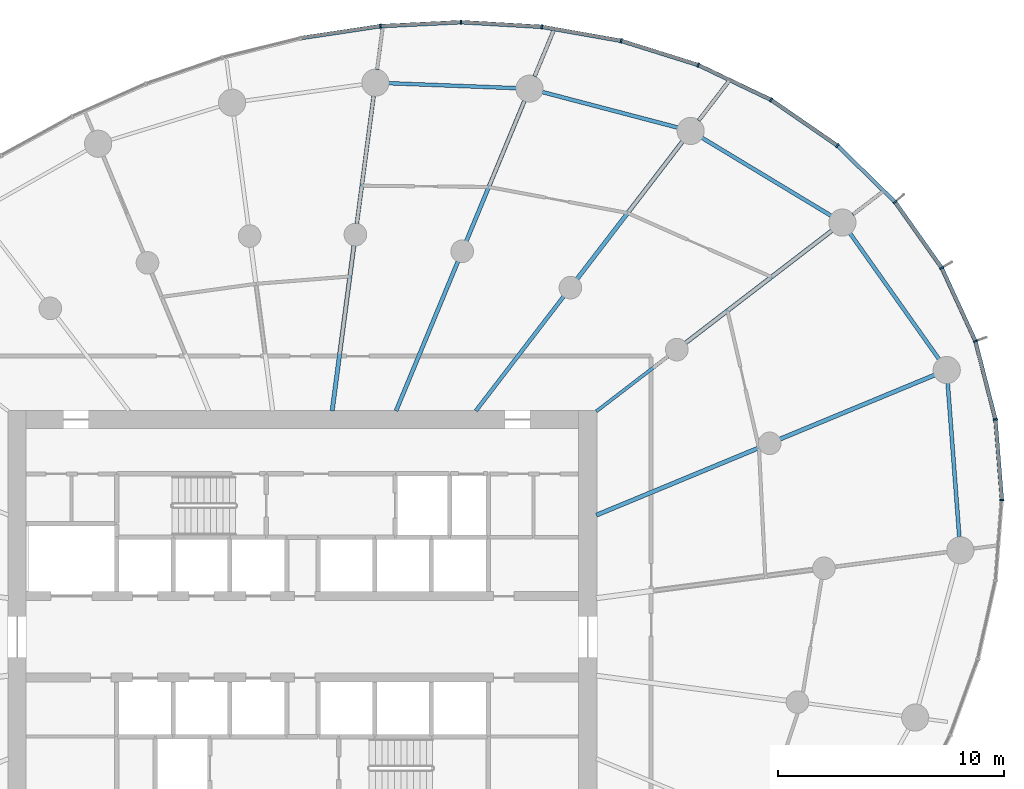
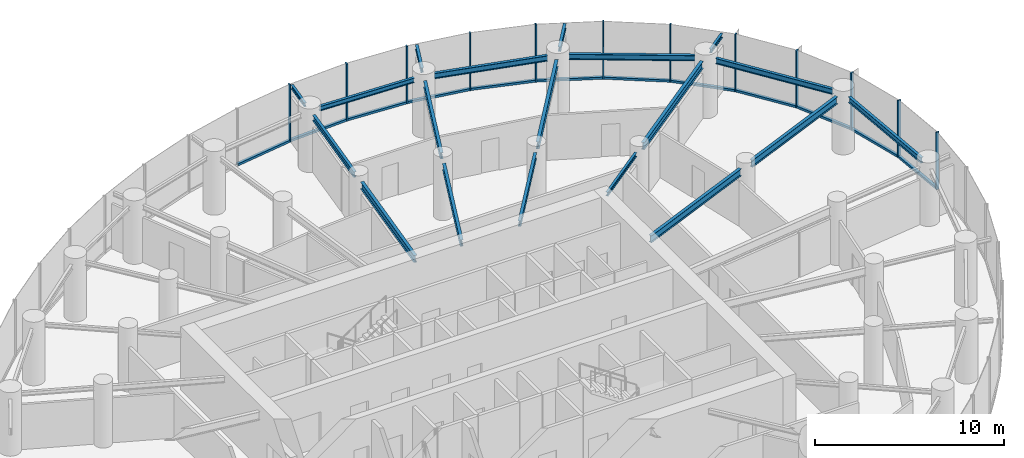
# One storey, part 7 of 17: 24 members, 19 beams, 3 elements without a shape of their own.
"""IFC4 building model written with IfcOpenShell, lengths in metres."""

from ifc_helpers import new_model, si_unit, direction, frame, origin, origin_2d, place, context, subcontext, project, spatial, rectangle, i_section, extrude, source, transform, mapped, material, layer, layer_set, material_profile, profile_set, type_object, element, aggregate, save


model = new_model("IFC4")

# Units and contexts
model_context = context("Model", 3, precision=1e-05, world=origin(), true_north=direction((0.0, 1.0)))
body_context = subcontext(model_context, "Body", "Model", "MODEL_VIEW")
ifc_project = project(units=[si_unit("LENGTHUNIT", "METRE"), si_unit("AREAUNIT", "SQUARE_METRE"), si_unit("VOLUMEUNIT", "CUBIC_METRE"), si_unit("PLANEANGLEUNIT", "RADIAN"), si_unit("MASSUNIT", "GRAM", prefix="KILO")], contexts=[model_context])

# Site, building, storey
site_placement = place(None, origin())
site = spatial("IfcSite", under=ifc_project, at=site_placement, CompositionType="ELEMENT")
building_placement = place(site_placement, origin())
building = spatial("IfcBuilding", under=site, at=building_placement, Name="Spindrift Exchange Tower", CompositionType="ELEMENT")
storey_placement = place(building_placement, frame((0.0, 0.0, 120.800048828125)))
storey = spatial("IfcBuildingStorey", under=building, at=storey_placement, Name="L28", CompositionType="ELEMENT", Elevation=120.800048828125)

# Beams
ifc_material_1 = material(Name="Steel Grade 300", Category="steel")
ifc_material_profile_1 = material_profile(ifc_material_1, i_section(OverallWidth=0.18994140625, OverallDepth=0.45703125, WebThickness=0.009033203125, FlangeThickness=0.014404296875, FilletRadius=0.013916015625, at=origin_2d()), Name="460UB74.6")
ifc_profile_set_1 = profile_set([ifc_material_profile_1], Name="Steel Grade 300")
beam_type_1 = type_object("IfcBeamType", Name="Floor Beam 460UB74.6 Steel Grade 300", PredefinedType="BEAM", material=ifc_profile_set_1)
shared_shape_1 = source(origin(), body_context, "Body", "SweptSolid", [
    extrude(i_section(OverallWidth=0.18994140625, OverallDepth=0.45703125, WebThickness=0.009033203125, FlangeThickness=0.014404296875, FilletRadius=0.013916015625, at=origin_2d()), origin(), (0.0, 0.0, 1.0), 7.808837890625),
])
beam_1_placement = place(storey_placement, frame((64.9814453125, 53.377197265625, 3.471435546875), z_axis=(0.92387965154, 0.382683145003, 0.0), x_axis=(-0.382683145003, 0.92387965154, 0.0)))
element("IfcBeam", 1, at=beam_1_placement, inside=storey, type_object=beam_type_1, Name="L28 radial beam R02A", PredefinedType="BEAM", context=body_context, shape_type="MappedRepresentation", body=[
    mapped(shared_shape_1, transform((0.0, 0.0, 0.0), scale=1.0)),
])
ifc_material_profile_2 = material_profile(ifc_material_1, i_section(OverallWidth=0.14599609375, OverallDepth=0.251953125, WebThickness=0.006103515625, FlangeThickness=0.008544921875, FilletRadius=0.011962890625, at=origin_2d()), Name="250UB31.4")
ifc_profile_set_2 = profile_set([ifc_material_profile_2], Name="Steel Grade 300")
beam_type_2 = type_object("IfcBeamType", Name="Floor Beam 250UB31.4 Steel Grade 300", PredefinedType="BEAM", material=ifc_profile_set_2)
shared_shape_2 = source(origin(), body_context, "Body", "SweptSolid", [
    extrude(i_section(OverallWidth=0.14599609375, OverallDepth=0.251953125, WebThickness=0.006103515625, FlangeThickness=0.008544921875, FilletRadius=0.011962890625, at=origin_2d()), origin(), (0.0, 0.0, 1.0), 3.99560546875),
])
beam_2_placement = place(storey_placement, frame((64.984130859375, 57.963134765625, 3.573974609375), z_axis=(0.793352561574, 0.608762443851, 0.0), x_axis=(-0.608762443851, 0.793352561574, 0.0)))
element("IfcBeam", 2, at=beam_2_placement, inside=storey, type_object=beam_type_2, Name="L28 radial beam R03A", PredefinedType="BEAM", context=body_context, shape_type="MappedRepresentation", body=[
    mapped(shared_shape_2, transform((0.0, 0.0, 0.0), scale=1.0)),
])
ifc_material_profile_3 = material_profile(ifc_material_1, i_section(OverallWidth=0.172119140625, OverallDepth=0.35888671875, WebThickness=0.008056640625, FlangeThickness=0.012939453125, FilletRadius=0.013916015625, at=origin_2d()), Name="360UB56.7")
ifc_profile_set_3 = profile_set([ifc_material_profile_3], Name="Steel Grade 300")
beam_type_3 = type_object("IfcBeamType", Name="Floor Beam 360UB56.7 Steel Grade 300", PredefinedType="BEAM", material=ifc_profile_set_3)
shared_shape_3 = source(origin(), body_context, "Body", "SweptSolid", [
    extrude(i_section(OverallWidth=0.172119140625, OverallDepth=0.35888671875, WebThickness=0.008056640625, FlangeThickness=0.012939453125, FilletRadius=0.013916015625, at=origin_2d()), origin(), (0.0, 0.0, 1.0), 6.37646484375),
])
beam_3_placement = place(storey_placement, frame((59.6611328125, 57.984130859375, 3.5205078125), z_axis=(0.608766669952, 0.793349318747, 0.0), x_axis=(-0.793349318747, 0.608766669952, 0.0)))
element("IfcBeam", 3, at=beam_3_placement, inside=storey, type_object=beam_type_3, Name="L28 radial beam R04A", PredefinedType="BEAM", context=body_context, shape_type="MappedRepresentation", body=[
    mapped(shared_shape_3, transform((0.0, 0.0, 0.0), scale=1.0)),
])
ifc_material_profile_4 = material_profile(ifc_material_1, i_section(OverallWidth=0.177978515625, OverallDepth=0.406005859375, WebThickness=0.0078125, FlangeThickness=0.0126953125, FilletRadius=0.013916015625, at=origin_2d()), Name="410UB59.7")
ifc_profile_set_4 = profile_set([ifc_material_profile_4], Name="Steel Grade 300")
beam_type_4 = type_object("IfcBeamType", Name="Floor Beam 410UB59.7 Steel Grade 300", PredefinedType="BEAM", material=ifc_profile_set_4)
shared_shape_4 = source(origin(), body_context, "Body", "SweptSolid", [
    extrude(i_section(OverallWidth=0.177978515625, OverallDepth=0.406005859375, WebThickness=0.0078125, FlangeThickness=0.0126953125, FilletRadius=0.013916015625, at=origin_2d()), origin(), (0.0, 0.0, 1.0), 7.150634765625),
])
beam_4_placement = place(storey_placement, frame((56.134521484375, 57.9814453125, 3.4970703125), z_axis=(0.382665393358, 0.923887004306, 0.0), x_axis=(-0.923887004306, 0.382665393358, 0.0)))
element("IfcBeam", 4, at=beam_4_placement, inside=storey, type_object=beam_type_4, Name="L28 radial beam R05A", PredefinedType="BEAM", context=body_context, shape_type="MappedRepresentation", body=[
    mapped(shared_shape_4, transform((0.0, 0.0, 0.0), scale=1.0)),
])
shared_shape_5 = source(origin(), body_context, "Body", "SweptSolid", [
    extrude(i_section(OverallWidth=0.18994140625, OverallDepth=0.45703125, WebThickness=0.009033203125, FlangeThickness=0.014404296875, FilletRadius=0.013916015625, at=origin_2d()), origin(), (0.0, 0.0, 1.0), 7.374267578125),
])
beam_5_placement = place(storey_placement, frame((53.31396484375, 57.980224609375, 3.471435546875), z_axis=(0.130539295622, 0.99144313619, 0.0), x_axis=(-0.99144313619, 0.130539295622, 0.0)))
element("IfcBeam", 5, at=beam_5_placement, inside=storey, type_object=beam_type_1, Name="L28 radial beam R06A", PredefinedType="BEAM", context=body_context, shape_type="MappedRepresentation", body=[
    mapped(shared_shape_5, transform((0.0, 0.0, 0.0), scale=1.0)),
])
shared_shape_6 = source(origin(), body_context, "Body", "SweptSolid", [
    extrude(i_section(OverallWidth=0.18994140625, OverallDepth=0.45703125, WebThickness=0.009033203125, FlangeThickness=0.014404296875, FilletRadius=0.013916015625, at=origin_2d()), origin(), (0.0, 0.0, 1.0), 7.400146484375),
])
beam_6_placement = place(storey_placement, frame((73.082763671875, 56.73291015625, 3.471435546875), z_axis=(0.923886957755, 0.382665505749, 0.0), x_axis=(-0.382665505749, 0.923886957755, 0.0)))
element("IfcBeam", 6, at=beam_6_placement, inside=storey, type_object=beam_type_1, Name="L28 radial beam R02B", PredefinedType="BEAM", context=body_context, shape_type="MappedRepresentation", body=[
    mapped(shared_shape_6, transform((0.0, 0.0, 0.0), scale=1.0)),
])
shared_shape_7 = source(origin(), body_context, "Body", "SweptSolid", [
    extrude(i_section(OverallWidth=0.18994140625, OverallDepth=0.45703125, WebThickness=0.009033203125, FlangeThickness=0.014404296875, FilletRadius=0.013916015625, at=origin_2d()), origin(), (0.0, 0.0, 1.0), 8.158447265625),
])
beam_7_placement = place(storey_placement, frame((68.91552734375, 60.979736328125, 3.471435546875), z_axis=(0.793358732539, 0.608754401631, 0.0), x_axis=(-0.608754401631, 0.793358732539, 0.0)))
element("IfcBeam", 7, at=beam_7_placement, inside=storey, type_object=beam_type_1, Name="L28 radial beam R03B", PredefinedType="BEAM", context=body_context, shape_type="MappedRepresentation", body=[
    mapped(shared_shape_7, transform((0.0, 0.0, 0.0), scale=1.0)),
])
shared_shape_8 = source(origin(), body_context, "Body", "SweptSolid", [
    extrude(i_section(OverallWidth=0.18994140625, OverallDepth=0.45703125, WebThickness=0.009033203125, FlangeThickness=0.014404296875, FilletRadius=0.013916015625, at=origin_2d()), origin(), (0.0, 0.0, 1.0), 7.663818359375),
])
beam_8_placement = place(storey_placement, frame((64.127197265625, 63.8046875, 3.471435546875), z_axis=(0.608771227503, 0.793345821546, 0.0), x_axis=(-0.793345821546, 0.608771227503, 0.0)))
element("IfcBeam", 8, at=beam_8_placement, inside=storey, type_object=beam_type_1, Name="L28 radial beam R04B", PredefinedType="BEAM", context=body_context, shape_type="MappedRepresentation", body=[
    mapped(shared_shape_8, transform((0.0, 0.0, 0.0), scale=1.0)),
])
shared_shape_9 = source(origin(), body_context, "Body", "SweptSolid", [
    extrude(i_section(OverallWidth=0.177978515625, OverallDepth=0.406005859375, WebThickness=0.0078125, FlangeThickness=0.0126953125, FilletRadius=0.013916015625, at=origin_2d()), origin(), (0.0, 0.0, 1.0), 6.71240234375),
])
beam_9_placement = place(storey_placement, frame((59.23828125, 65.474853515625, 3.4970703125), z_axis=(0.382669812754, 0.923885173821, 0.0), x_axis=(-0.923885173821, 0.382669812754, 0.0)))
element("IfcBeam", 9, at=beam_9_placement, inside=storey, type_object=beam_type_4, Name="L28 radial beam R05B", PredefinedType="BEAM", context=body_context, shape_type="MappedRepresentation", body=[
    mapped(shared_shape_9, transform((0.0, 0.0, 0.0), scale=1.0)),
])
shared_shape_10 = source(origin(), body_context, "Body", "SweptSolid", [
    extrude(i_section(OverallWidth=0.172119140625, OverallDepth=0.35888671875, WebThickness=0.008056640625, FlangeThickness=0.012939453125, FilletRadius=0.013916015625, at=origin_2d()), origin(), (0.0, 0.0, 1.0), 5.70751953125),
])
beam_10_placement = place(storey_placement, frame((54.40185546875, 66.2431640625, 3.5205078125), z_axis=(0.130507624881, 0.991447305634, 0.0), x_axis=(-0.991447305634, 0.130507624881, 0.0)))
element("IfcBeam", 10, at=beam_10_placement, inside=storey, type_object=beam_type_3, Name="L28 radial beam R06B", PredefinedType="BEAM", context=body_context, shape_type="MappedRepresentation", body=[
    mapped(shared_shape_10, transform((0.0, 0.0, 0.0), scale=1.0)),
])
ifc_material_profile_5 = material_profile(ifc_material_1, i_section(OverallWidth=0.172119140625, OverallDepth=0.35888671875, WebThickness=0.008056640625, FlangeThickness=0.012939453125, FilletRadius=0.013916015625, at=origin_2d()), Name="360UB56.7")
ifc_profile_set_5 = profile_set([ifc_material_profile_5], Name="Steel Grade 300")
beam_type_5 = type_object("IfcBeamType", Name="Edge Beam 360UB56.7 Steel Grade 300", PredefinedType="SPANDREL", material=ifc_profile_set_5)
shared_shape_11 = source(origin(), body_context, "Body", "SweptSolid", [
    extrude(i_section(OverallWidth=0.172119140625, OverallDepth=0.35888671875, WebThickness=0.008056640625, FlangeThickness=0.012939453125, FilletRadius=0.013916015625, at=origin_2d()), origin(), (0.0, 0.0, 1.0), 6.82373046875),
])
beam_11_placement = place(storey_placement, frame((81.0126953125, 52.40380859375, 3.5205078125), z_axis=(-0.075276463877, 0.997162701863, 0.0), x_axis=(-0.997162701863, -0.075276463877, 0.0)))
element("IfcBeam", 11, at=beam_11_placement, inside=storey, type_object=beam_type_5, Name="L28 edge beam E01", PredefinedType="SPANDREL", context=body_context, shape_type="MappedRepresentation", body=[
    mapped(shared_shape_11, transform((0.0, 0.0, 0.0), scale=1.0)),
])
shared_shape_12 = source(origin(), body_context, "Body", "SweptSolid", [
    extrude(i_section(OverallWidth=0.172119140625, OverallDepth=0.35888671875, WebThickness=0.008056640625, FlangeThickness=0.012939453125, FilletRadius=0.013916015625, at=origin_2d()), origin(), (0.0, 0.0, 1.0), 6.81787109375),
])
beam_12_placement = place(storey_placement, frame((80.12060546875, 60.260009765625, 3.5205078125), z_axis=(-0.577526426198, 0.816371990604, 0.0), x_axis=(-0.816371990604, -0.577526426198, 0.0)))
element("IfcBeam", 12, at=beam_12_placement, inside=storey, type_object=beam_type_5, Name="L28 edge beam E02", PredefinedType="SPANDREL", context=body_context, shape_type="MappedRepresentation", body=[
    mapped(shared_shape_12, transform((0.0, 0.0, 0.0), scale=1.0)),
])
shared_shape_13 = source(origin(), body_context, "Body", "SweptSolid", [
    extrude(i_section(OverallWidth=0.172119140625, OverallDepth=0.35888671875, WebThickness=0.008056640625, FlangeThickness=0.012939453125, FilletRadius=0.013916015625, at=origin_2d()), origin(), (0.0, 0.0, 1.0), 6.668701171875),
])
beam_13_placement = place(storey_placement, frame((75.3515625, 66.59912109375, 3.5205078125), z_axis=(-0.856133207479, 0.516755194508, 0.0), x_axis=(-0.516755194508, -0.856133207479, 0.0)))
element("IfcBeam", 13, at=beam_13_placement, inside=storey, type_object=beam_type_5, Name="L28 edge beam E03", PredefinedType="SPANDREL", context=body_context, shape_type="MappedRepresentation", body=[
    mapped(shared_shape_13, transform((0.0, 0.0, 0.0), scale=1.0)),
])
shared_shape_14 = source(origin(), body_context, "Body", "SweptSolid", [
    extrude(i_section(OverallWidth=0.172119140625, OverallDepth=0.35888671875, WebThickness=0.008056640625, FlangeThickness=0.012939453125, FilletRadius=0.013916015625, at=origin_2d()), origin(), (0.0, 0.0, 1.0), 6.197509765625),
])
beam_14_placement = place(storey_placement, frame((68.584716796875, 70.491943359375, 3.5205078125), z_axis=(-0.967254420813, 0.253808757567, 0.0), x_axis=(-0.253808757567, -0.967254420813, 0.0)))
element("IfcBeam", 14, at=beam_14_placement, inside=storey, type_object=beam_type_5, Name="L28 edge beam E04", PredefinedType="SPANDREL", context=body_context, shape_type="MappedRepresentation", body=[
    mapped(shared_shape_14, transform((0.0, 0.0, 0.0), scale=1.0)),
])
ifc_material_profile_6 = material_profile(ifc_material_1, i_section(OverallWidth=0.1650390625, OverallDepth=0.303955078125, WebThickness=0.006103515625, FlangeThickness=0.01025390625, FilletRadius=0.011474609375, at=origin_2d()), Name="310UB40.4")
ifc_profile_set_6 = profile_set([ifc_material_profile_6], Name="Steel Grade 300")
beam_type_6 = type_object("IfcBeamType", Name="Edge Beam 310UB40.4 Steel Grade 300", PredefinedType="SPANDREL", material=ifc_profile_set_6)
shared_shape_15 = source(origin(), body_context, "Body", "SweptSolid", [
    extrude(i_section(OverallWidth=0.1650390625, OverallDepth=0.303955078125, WebThickness=0.006103515625, FlangeThickness=0.01025390625, FilletRadius=0.011474609375, at=origin_2d()), origin(), (0.0, 0.0, 1.0), 5.65185546875),
])
beam_15_placement = place(storey_placement, frame((61.449462890625, 72.234619140625, 3.5478515625), z_axis=(-0.99924397539, 0.038877726865, 0.0), x_axis=(-0.038877726865, -0.99924397539, 0.0)))
element("IfcBeam", 15, at=beam_15_placement, inside=storey, type_object=beam_type_6, Name="L28 edge beam E05", PredefinedType="SPANDREL", context=body_context, shape_type="MappedRepresentation", body=[
    mapped(shared_shape_15, transform((0.0, 0.0, 0.0), scale=1.0)),
])
ifc_material_profile_7 = material_profile(ifc_material_1, i_section(OverallWidth=0.14599609375, OverallDepth=0.251953125, WebThickness=0.006103515625, FlangeThickness=0.008544921875, FilletRadius=0.011962890625, at=origin_2d()), Name="250UB31.4")
ifc_profile_set_7 = profile_set([ifc_material_profile_7], Name="Steel Grade 300")
beam_type_7 = type_object("IfcBeamType", Name="Cantilever Beam 250UB31.4 Steel Grade 300", PredefinedType="BEAM", material=ifc_profile_set_7)
shared_shape_16 = source(origin(), body_context, "Body", "SweptSolid", [
    extrude(i_section(OverallWidth=0.14599609375, OverallDepth=0.251953125, WebThickness=0.006103515625, FlangeThickness=0.008544921875, FilletRadius=0.011962890625, at=origin_2d()), origin(), (0.0, 0.0, 1.0), 1.579345703125),
])
beam_16_placement = place(storey_placement, frame((76.308349609375, 66.652587890625, 3.573974609375), z_axis=(0.793347524378, 0.608769008379, 0.0), x_axis=(-0.608769008379, 0.793347524378, 0.0)))
element("IfcBeam", 16, at=beam_16_placement, inside=storey, type_object=beam_type_7, Name="L28 cantilever beam R03T", PredefinedType="BEAM", context=body_context, shape_type="MappedRepresentation", body=[
    mapped(shared_shape_16, transform((0.0, 0.0, 0.0), scale=1.0)),
])
ifc_material_profile_8 = material_profile(ifc_material_1, i_section(OverallWidth=0.1650390625, OverallDepth=0.303955078125, WebThickness=0.006103515625, FlangeThickness=0.01025390625, FilletRadius=0.011474609375, at=origin_2d()), Name="310UB40.4")
ifc_profile_set_8 = profile_set([ifc_material_profile_8], Name="Steel Grade 300")
beam_type_8 = type_object("IfcBeamType", Name="Cantilever Beam 310UB40.4 Steel Grade 300", PredefinedType="BEAM", material=ifc_profile_set_8)
shared_shape_17 = source(origin(), body_context, "Body", "SweptSolid", [
    extrude(i_section(OverallWidth=0.1650390625, OverallDepth=0.303955078125, WebThickness=0.006103515625, FlangeThickness=0.01025390625, FilletRadius=0.011474609375, at=origin_2d()), origin(), (0.0, 0.0, 1.0), 2.200439453125),
])
beam_17_placement = place(storey_placement, frame((69.498779296875, 70.804931640625, 3.5478515625), z_axis=(0.608804169934, 0.793320542196, 0.0), x_axis=(-0.793320542196, 0.608804169934, 0.0)))
element("IfcBeam", 17, at=beam_17_placement, inside=storey, type_object=beam_type_8, Name="L28 cantilever beam R04T", PredefinedType="BEAM", context=body_context, shape_type="MappedRepresentation", body=[
    mapped(shared_shape_17, transform((0.0, 0.0, 0.0), scale=1.0)),
])
shared_shape_18 = source(origin(), body_context, "Body", "SweptSolid", [
    extrude(i_section(OverallWidth=0.1650390625, OverallDepth=0.303955078125, WebThickness=0.006103515625, FlangeThickness=0.01025390625, FilletRadius=0.011474609375, at=origin_2d()), origin(), (0.0, 0.0, 1.0), 2.197021484375),
])
beam_18_placement = place(storey_placement, frame((62.2509765625, 72.748046875, 3.5478515625), z_axis=(0.382705099748, 0.92387055729, 0.0), x_axis=(-0.92387055729, 0.382705099748, 0.0)))
element("IfcBeam", 18, at=beam_18_placement, inside=storey, type_object=beam_type_8, Name="L28 cantilever beam R05T", PredefinedType="BEAM", context=body_context, shape_type="MappedRepresentation", body=[
    mapped(shared_shape_18, transform((0.0, 0.0, 0.0), scale=1.0)),
])
shared_shape_19 = source(origin(), body_context, "Body", "SweptSolid", [
    extrude(i_section(OverallWidth=0.14599609375, OverallDepth=0.251953125, WebThickness=0.006103515625, FlangeThickness=0.008544921875, FilletRadius=0.011962890625, at=origin_2d()), origin(), (0.0, 0.0, 1.0), 1.8232421875),
])
beam_19_placement = place(storey_placement, frame((55.298095703125, 73.0517578125, 3.573974609375), z_axis=(0.130558428078, 0.99144061691, 0.0), x_axis=(-0.99144061691, 0.130558428078, 0.0)))
element("IfcBeam", 19, at=beam_19_placement, inside=storey, type_object=beam_type_7, Name="L28 cantilever beam R06T", PredefinedType="BEAM", context=body_context, shape_type="MappedRepresentation", body=[
    mapped(shared_shape_19, transform((0.0, 0.0, 0.0), scale=1.0)),
])

# Curtain wall, members
ifc_material_2 = material(Name="Fritted laminated glass with bronze frame", Category="glass")
ifc_layer = layer(ifc_material_2, 0.18994140625)
ifc_layer_set = layer_set([ifc_layer], Name="ZONE 2 BRONZE FRITTED WALL")
curtain_wall_type = type_object("IfcCurtainWallType", Name="ZONE 2 BRONZE FRITTED WALL", PredefinedType="NOTDEFINED", material=ifc_layer_set)
curtain_wall_1_placement = place(storey_placement, origin())
curtain_wall_1 = element("IfcCurtainWall", 20, at=curtain_wall_1_placement, inside=storey, type_object=curtain_wall_type, Name="L28 Zone 2 Bronze Fritted Wall run 1", PredefinedType="NOTDEFINED")
ifc_material_3 = material(Name="Bronze anodised aluminium", Category="aluminium")
ifc_material_profile_9 = material_profile(ifc_material_3, rectangle(XDim=0.074951171875, YDim=0.18994140625, at=origin_2d()), Name="ZONE 2 BRONZE FRITTED WALL MULLION 75X190")
ifc_profile_set_9 = profile_set([ifc_material_profile_9], Name="Bronze anodised aluminium")
member_type_1 = type_object("IfcMemberType", Name="ZONE 2 BRONZE FRITTED WALL MULLION 75X190", PredefinedType="MULLION", material=ifc_profile_set_9)
shared_shape_20 = source(origin(), body_context, "Body", "SweptSolid", [
    extrude(rectangle(XDim=0.074951171875, YDim=0.18994140625, at=origin_2d()), origin(), (0.0, 0.0, 1.0), 3.699951171875),
])
member_1_placement = place(storey_placement, frame((80.233154296875, 64.293701171875, 0.0), z_axis=(0.0, 0.0, 1.0), x_axis=(-0.499849063714, 0.866112529354, 0.0)))
member_1 = element("IfcMember", 21, at=member_1_placement, type_object=member_type_1, Name="L28 mullion CW-2.1", PredefinedType="MULLION", context=body_context, shape_type="MappedRepresentation", body=[
    mapped(shared_shape_20, transform((0.0, 0.0, 0.0), scale=1.0)),
])
member_2_placement = place(storey_placement, frame((78.17578125, 67.202392578125, 0.0), z_axis=(0.0, 0.0, 1.0), x_axis=(-0.648731923415, 0.761017011335, 0.0)))
member_2 = element("IfcMember", 22, at=member_2_placement, type_object=member_type_1, Name="L28 mullion CW-2.2", PredefinedType="MULLION", context=body_context, shape_type="MappedRepresentation", body=[
    mapped(shared_shape_20, transform((0.0, 0.0, 0.0), scale=1.0)),
])
member_3_placement = place(storey_placement, frame((75.629150390625, 69.694580078125, 0.0), z_axis=(0.0, 0.0, 1.0), x_axis=(-0.771777703349, 0.635892425346, 0.0)))
member_3 = element("IfcMember", 23, at=member_3_placement, type_object=member_type_1, Name="L28 mullion CW-2.3", PredefinedType="MULLION", context=body_context, shape_type="MappedRepresentation", body=[
    mapped(shared_shape_20, transform((0.0, 0.0, 0.0), scale=1.0)),
])
member_4_placement = place(storey_placement, frame((72.695556640625, 71.718017578125, 0.0), z_axis=(0.0, 0.0, 1.0), x_axis=(-0.865240806673, 0.501356506358, 0.0)))
member_4 = element("IfcMember", 24, at=member_4_placement, type_object=member_type_1, Name="L28 mullion CW-2.4", PredefinedType="MULLION", context=body_context, shape_type="MappedRepresentation", body=[
    mapped(shared_shape_20, transform((0.0, 0.0, 0.0), scale=1.0)),
])
member_5_placement = place(storey_placement, frame((69.480712890625, 73.257080078125, 0.0), z_axis=(0.0, 0.0, 1.0), x_axis=(-0.930425555032, 0.36648094977, 0.0)))
member_5 = element("IfcMember", 25, at=member_5_placement, type_object=member_type_1, Name="L28 mullion CW-2.5", PredefinedType="MULLION", context=body_context, shape_type="MappedRepresentation", body=[
    mapped(shared_shape_20, transform((0.0, 0.0, 0.0), scale=1.0)),
])
member_6_placement = place(storey_placement, frame((66.0791015625, 74.323974609375, 0.0), z_axis=(0.0, 0.0, 1.0), x_axis=(-0.97148115534, 0.237116774649, 0.0)))
member_6 = element("IfcMember", 26, at=member_6_placement, type_object=member_type_1, Name="L28 mullion CW-2.6", PredefinedType="MULLION", context=body_context, shape_type="MappedRepresentation", body=[
    mapped(shared_shape_20, transform((0.0, 0.0, 0.0), scale=1.0)),
])

curtain_wall_2_placement = place(storey_placement, origin())
curtain_wall_2 = element("IfcCurtainWall", 27, at=curtain_wall_2_placement, inside=storey, type_object=curtain_wall_type, Name="L28 Zone 2 Bronze Fritted Wall run 2", PredefinedType="NOTDEFINED")
member_7_placement = place(storey_placement, frame((62.56787109375, 74.9443359375, 0.0), z_axis=(0.0, 0.0, 1.0), x_axis=(-0.993239421142, 0.116083815791, 0.0)))
member_7 = element("IfcMember", 28, at=member_7_placement, type_object=member_type_1, Name="L28 mullion CW-2.7", PredefinedType="MULLION", context=body_context, shape_type="MappedRepresentation", body=[
    mapped(shared_shape_20, transform((0.0, 0.0, 0.0), scale=1.0)),
])
member_8_placement = place(storey_placement, frame((59.0078125, 75.150390625, 0.0), z_axis=(0.0, 0.0, 1.0), x_axis=(-0.999991297989, 0.004171803695, 0.0)))
member_8 = element("IfcMember", 29, at=member_8_placement, type_object=member_type_1, Name="L28 mullion CW-2.8", PredefinedType="MULLION", context=body_context, shape_type="MappedRepresentation", body=[
    mapped(shared_shape_20, transform((0.0, 0.0, 0.0), scale=1.0)),
])
member_9_placement = place(storey_placement, frame((55.446044921875, 74.97412109375, 0.0), z_axis=(0.0, 0.0, 1.0), x_axis=(-0.995084070987, -0.099033790538, 0.0)))
member_9 = element("IfcMember", 30, at=member_9_placement, type_object=member_type_1, Name="L28 mullion CW-2.9", PredefinedType="MULLION", context=body_context, shape_type="MappedRepresentation", body=[
    mapped(shared_shape_20, transform((0.0, 0.0, 0.0), scale=1.0)),
])

curtain_wall_3_placement = place(storey_placement, origin())
curtain_wall_3 = element("IfcCurtainWall", 31, at=curtain_wall_3_placement, inside=storey, type_object=curtain_wall_type, Name="L28 Zone 2 Bronze Fritted Wall run 9", PredefinedType="NOTDEFINED")
member_10_placement = place(storey_placement, frame((82.89013671875, 54.052978515625, 0.0), z_axis=(0.0, 0.0, 1.0), x_axis=(-0.00121708575, 0.999999259351, 0.0)))
member_10 = element("IfcMember", 32, at=member_10_placement, type_object=member_type_1, Name="L28 mullion CW-2.49", PredefinedType="MULLION", context=body_context, shape_type="MappedRepresentation", body=[
    mapped(shared_shape_20, transform((0.0, 0.0, 0.0), scale=1.0)),
])
member_11_placement = place(storey_placement, frame((82.60595703125, 57.60546875, 0.0), z_axis=(0.0, 0.0, 1.0), x_axis=(-0.164452285837, 0.986385039264, 0.0)))
member_11 = element("IfcMember", 33, at=member_11_placement, type_object=member_type_1, Name="L28 mullion CW-2.50", PredefinedType="MULLION", context=body_context, shape_type="MappedRepresentation", body=[
    mapped(shared_shape_20, transform((0.0, 0.0, 0.0), scale=1.0)),
])
member_12_placement = place(storey_placement, frame((81.722412109375, 61.057373046875, 0.0), z_axis=(0.0, 0.0, 1.0), x_axis=(-0.334368403377, 0.942442449608, 0.0)))
member_12 = element("IfcMember", 34, at=member_12_placement, type_object=member_type_1, Name="L28 mullion CW-2.51", PredefinedType="MULLION", context=body_context, shape_type="MappedRepresentation", body=[
    mapped(shared_shape_20, transform((0.0, 0.0, 0.0), scale=1.0)),
])

# Member
ifc_material_profile_10 = material_profile(ifc_material_3, rectangle(XDim=0.169921875, YDim=0.139892578125, at=origin_2d()), Name="ZONE 2 BRONZE FRITTED WALL TRANSOM 170X140")
ifc_profile_set_10 = profile_set([ifc_material_profile_10], Name="Bronze anodised aluminium")
member_type_2 = type_object("IfcMemberType", Name="ZONE 2 BRONZE FRITTED WALL TRANSOM 170X140", PredefinedType="USERDEFINED", material=ifc_profile_set_10)
shared_shape_21 = source(origin(), body_context, "Body", "SweptSolid", [
    extrude(rectangle(XDim=0.169921875, YDim=0.139892578125, at=origin_2d()), origin(), (0.0, 0.0, 1.0), 3.4912109375),
])
member_13_placement = place(storey_placement, frame((55.408935546875, 74.968505859375, 0.070068359375), z_axis=(-0.988929170785, -0.148388325584, 0.0), x_axis=(0.148388325584, -0.988929170785, 0.0)))
member_13 = element("IfcMember", 35, at=member_13_placement, type_object=member_type_2, Name="L28 transom CW-2.9", ObjectType="TRANSOM", PredefinedType="USERDEFINED", context=body_context, shape_type="MappedRepresentation", body=[
    mapped(shared_shape_21, transform((0.0, 0.0, 0.0), scale=1.0)),
])

shared_shape_22 = source(origin(), body_context, "Body", "SweptSolid", [
    extrude(rectangle(XDim=0.169921875, YDim=0.139892578125, at=origin_2d()), origin(), (0.0, 0.0, 1.0), 3.490478515625),
])
member_14_placement = place(storey_placement, frame((66.0419921875, 74.33056640625, 0.070068359375), z_axis=(-0.984741986743, 0.174020744585, 0.0), x_axis=(-0.174020744585, -0.984741986743, 0.0)))
member_14 = element("IfcMember", 36, at=member_14_placement, type_object=member_type_2, Name="L28 transom CW-2.6", ObjectType="TRANSOM", PredefinedType="USERDEFINED", context=body_context, shape_type="MappedRepresentation", body=[
    mapped(shared_shape_22, transform((0.0, 0.0, 0.0), scale=1.0)),
])

shared_shape_23 = source(origin(), body_context, "Body", "SweptSolid", [
    extrude(rectangle(XDim=0.169921875, YDim=0.139892578125, at=origin_2d()), origin(), (0.0, 0.0, 1.0), 3.487548828125),
])
member_15_placement = place(storey_placement, frame((80.21142578125, 64.324462890625, 0.070068359375), z_axis=(-0.577444236197, 0.816430128108, 0.0), x_axis=(-0.816430128108, -0.577444236197, 0.0)))
member_15 = element("IfcMember", 37, at=member_15_placement, type_object=member_type_2, Name="L28 transom CW-2.1", ObjectType="TRANSOM", PredefinedType="USERDEFINED", context=body_context, shape_type="MappedRepresentation", body=[
    mapped(shared_shape_23, transform((0.0, 0.0, 0.0), scale=1.0)),
])

shared_shape_24 = source(origin(), body_context, "Body", "SweptSolid", [
    extrude(rectangle(XDim=0.169921875, YDim=0.139892578125, at=origin_2d()), origin(), (0.0, 0.0, 1.0), 3.48779296875),
])
member_16_placement = place(storey_placement, frame((81.706787109375, 61.09130859375, 0.070068359375), z_axis=(-0.41802808361, 0.908434104001, 0.0), x_axis=(-0.908434104001, -0.41802808361, 0.0)))
member_16 = element("IfcMember", 38, at=member_16_placement, type_object=member_type_2, Name="L28 transom CW-2.51", ObjectType="TRANSOM", PredefinedType="USERDEFINED", context=body_context, shape_type="MappedRepresentation", body=[
    mapped(shared_shape_24, transform((0.0, 0.0, 0.0), scale=1.0)),
])

shared_shape_25 = source(origin(), body_context, "Body", "SweptSolid", [
    extrude(rectangle(XDim=0.169921875, YDim=0.139892578125, at=origin_2d()), origin(), (0.0, 0.0, 1.0), 3.490966796875),
])
member_17_placement = place(storey_placement, frame((62.530517578125, 74.946533203125, 0.070068359375), z_axis=(-0.998330105765, 0.057766771794, 0.0), x_axis=(-0.057766771794, -0.998330105765, 0.0)))
member_17 = element("IfcMember", 39, at=member_17_placement, type_object=member_type_2, Name="L28 transom CW-2.7", ObjectType="TRANSOM", PredefinedType="USERDEFINED", context=body_context, shape_type="MappedRepresentation", body=[
    mapped(shared_shape_25, transform((0.0, 0.0, 0.0), scale=1.0)),
])

member_18_placement = place(storey_placement, frame((58.970458984375, 75.1484375, 0.070068359375), z_axis=(-0.9987804312, -0.049372565777, 0.0), x_axis=(0.049372565777, -0.9987804312, 0.0)))
member_18 = element("IfcMember", 40, at=member_18_placement, type_object=member_type_2, Name="L28 transom CW-2.8", ObjectType="TRANSOM", PredefinedType="USERDEFINED", context=body_context, shape_type="MappedRepresentation", body=[
    mapped(shared_shape_25, transform((0.0, 0.0, 0.0), scale=1.0)),
])

aggregate(curtain_wall_2, [member_7, member_17, member_8, member_18, member_9, member_13])

shared_shape_26 = source(origin(), body_context, "Body", "SweptSolid", [
    extrude(rectangle(XDim=0.169921875, YDim=0.139892578125, at=origin_2d()), origin(), (0.0, 0.0, 1.0), 3.4892578125),
])
member_19_placement = place(storey_placement, frame((72.66162109375, 71.734130859375, 0.070068359375), z_axis=(-0.901950609971, 0.431839202912, 0.0), x_axis=(-0.431839202912, -0.901950609971, 0.0)))
member_19 = element("IfcMember", 41, at=member_19_placement, type_object=member_type_2, Name="L28 transom CW-2.4", ObjectType="TRANSOM", PredefinedType="USERDEFINED", context=body_context, shape_type="MappedRepresentation", body=[
    mapped(shared_shape_26, transform((0.0, 0.0, 0.0), scale=1.0)),
])

shared_shape_27 = source(origin(), body_context, "Body", "SweptSolid", [
    extrude(rectangle(XDim=0.169921875, YDim=0.139892578125, at=origin_2d()), origin(), (0.0, 0.0, 1.0), 3.488037109375),
])
member_20_placement = place(storey_placement, frame((78.149169921875, 67.228759765625, 0.070068359375), z_axis=(-0.714764046346, 0.699365682637, 0.0), x_axis=(-0.699365682637, -0.714764046346, 0.0)))
member_20 = element("IfcMember", 42, at=member_20_placement, type_object=member_type_2, Name="L28 transom CW-2.2", ObjectType="TRANSOM", PredefinedType="USERDEFINED", context=body_context, shape_type="MappedRepresentation", body=[
    mapped(shared_shape_27, transform((0.0, 0.0, 0.0), scale=1.0)),
])

member_21_placement = place(storey_placement, frame((82.5966796875, 57.641845703125, 0.070068359375), z_axis=(-0.247982966742, 0.968764392515, 0.0), x_axis=(-0.968764392515, -0.247982966742, 0.0)))
member_21 = element("IfcMember", 43, at=member_21_placement, type_object=member_type_2, Name="L28 transom CW-2.50", ObjectType="TRANSOM", PredefinedType="USERDEFINED", context=body_context, shape_type="MappedRepresentation", body=[
    mapped(shared_shape_27, transform((0.0, 0.0, 0.0), scale=1.0)),
])

shared_shape_28 = source(origin(), body_context, "Body", "SweptSolid", [
    extrude(rectangle(XDim=0.169921875, YDim=0.139892578125, at=origin_2d()), origin(), (0.0, 0.0, 1.0), 3.48876953125),
])
member_22_placement = place(storey_placement, frame((75.598388671875, 69.7158203125, 0.070068359375), z_axis=(-0.823216169184, 0.567728050033, 0.0), x_axis=(-0.567728050033, -0.823216169184, 0.0)))
member_22 = element("IfcMember", 44, at=member_22_placement, type_object=member_type_2, Name="L28 transom CW-2.3", ObjectType="TRANSOM", PredefinedType="USERDEFINED", context=body_context, shape_type="MappedRepresentation", body=[
    mapped(shared_shape_28, transform((0.0, 0.0, 0.0), scale=1.0)),
])

member_23_placement = place(storey_placement, frame((82.88720703125, 54.090576171875, 0.070068359375), z_axis=(-0.079778599612, 0.996812607787, 0.0), x_axis=(-0.996812607787, -0.079778599612, 0.0)))
member_23 = element("IfcMember", 45, at=member_23_placement, type_object=member_type_2, Name="L28 transom CW-2.49", ObjectType="TRANSOM", PredefinedType="USERDEFINED", context=body_context, shape_type="MappedRepresentation", body=[
    mapped(shared_shape_28, transform((0.0, 0.0, 0.0), scale=1.0)),
])

aggregate(curtain_wall_3, [member_10, member_23, member_11, member_21, member_12, member_16])

shared_shape_29 = source(origin(), body_context, "Body", "SweptSolid", [
    extrude(rectangle(XDim=0.169921875, YDim=0.139892578125, at=origin_2d()), origin(), (0.0, 0.0, 1.0), 3.489990234375),
])
member_24_placement = place(storey_placement, frame((69.44482421875, 73.268310546875, 0.070068359375), z_axis=(-0.954170773644, 0.299262651734, 0.0), x_axis=(-0.299262651734, -0.954170773644, 0.0)))
member_24 = element("IfcMember", 46, at=member_24_placement, type_object=member_type_2, Name="L28 transom CW-2.5", ObjectType="TRANSOM", PredefinedType="USERDEFINED", context=body_context, shape_type="MappedRepresentation", body=[
    mapped(shared_shape_29, transform((0.0, 0.0, 0.0), scale=1.0)),
])

aggregate(curtain_wall_1, [member_1, member_15, member_2, member_20, member_3, member_22, member_4, member_19, member_5, member_24, member_6, member_14])

save(model, "model.ifc")
